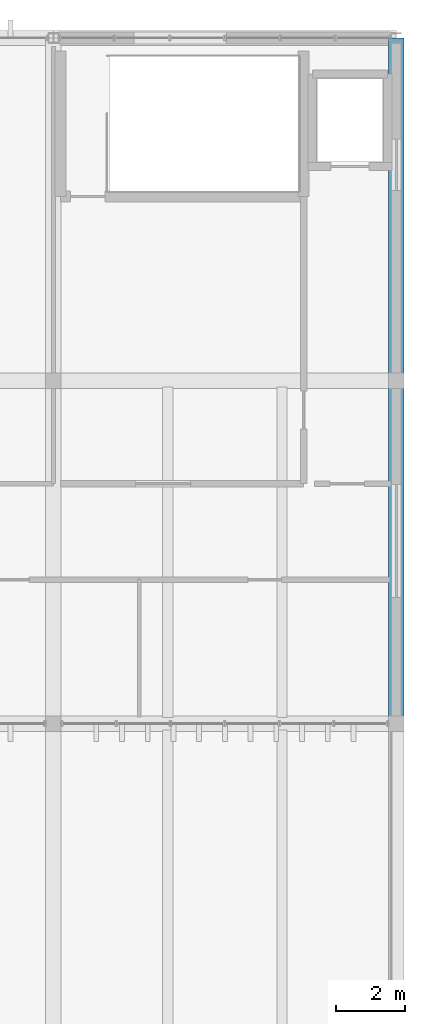
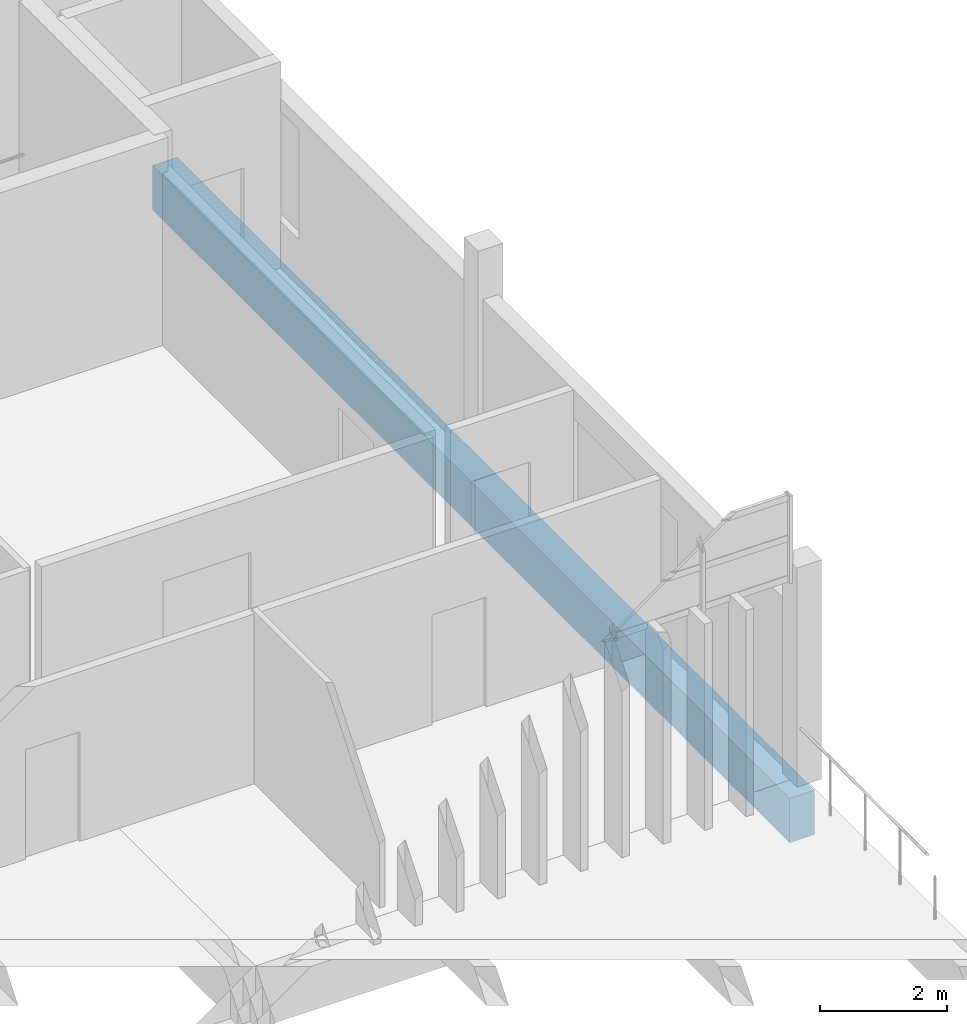
# One storey, part 29 of 36: 2 beams.
"""IFC4 building model written with IfcOpenShell, lengths in metres."""

import ifcopenshell
import ifcopenshell.guid

model = None  # the IFC model being written
_history = None  # IfcOwnerHistory: only IFC2X3 demands one
_inside = {}  # id of a spatial element -> (the spatial element, [elements in it])
_under = {}  # id of a project, library or spatial element -> (it, [spatial elements below it])
_declared = {}  # id of a project -> (the project, [libraries it declares])
_typed = {}  # id of a type object -> (the type object, [elements of that type])
_made_of = {}  # id of a material, layer set ... -> (it, [elements and type objects made of it])


def new_model(schema):
    """Start an empty IFC model of exactly this schema.

    Asked for "IFC4X3", IfcOpenShell would pick the latest addendum, in which some entities
    have other attributes; the version numbers below select the first issue.
    IFC2X3 requires an IfcOwnerHistory on every rooted entity: one is made here for all.
    """
    global model, _history
    if schema == "IFC4X3":
        model = ifcopenshell.file(schema_version=(4, 3, 0, 0))
    else:
        model = ifcopenshell.file(schema=schema)
    _inside.clear()
    _under.clear()
    _declared.clear()
    _typed.clear()
    _made_of.clear()
    _history = None
    if model.schema == "IFC2X3":
        org = make("IfcOrganization", Name="unknown")
        user = make(
            "IfcPersonAndOrganization",
            ThePerson=make("IfcPerson", FamilyName="unknown"),
            TheOrganization=org,
        )
        app = make(
            "IfcApplication",
            ApplicationDeveloper=org,
            Version="unknown",
            ApplicationFullName="unknown",
            ApplicationIdentifier="unknown",
        )
        _history = make(
            "IfcOwnerHistory",
            OwningUser=user,
            OwningApplication=app,
            ChangeAction="ADDED",
            CreationDate=0,
        )
    return model


def make(cls, **values):
    """One entity of the class cls with the attributes given. An attribute that is None is left unset."""
    return model.create_entity(
        cls, **{name: value for name, value in values.items() if value is not None}
    )


def rooted(cls, **values):
    """An entity with a GlobalId (a new one), such as an element, a storey or a relation."""
    return make(cls, GlobalId=ifcopenshell.guid.new(), OwnerHistory=_history, **values)


def si_unit(unit_type, name, prefix=None):
    """IfcSIUnit, for example si_unit("LENGTHUNIT", "METRE", prefix="MILLI")."""
    return make("IfcSIUnit", UnitType=unit_type, Prefix=prefix, Name=name)


def assignment(units):
    """IfcUnitAssignment: the units of a project."""
    return None if units is None else make("IfcUnitAssignment", Units=units)


def point(xyz):
    """IfcCartesianPoint."""
    return None if xyz is None else make("IfcCartesianPoint", Coordinates=xyz)


def direction(xyz):
    """IfcDirection."""
    return None if xyz is None else make("IfcDirection", DirectionRatios=xyz)


def frame(location, z_axis=None, x_axis=None):
    """IfcAxis2Placement3D, a coordinate frame: its origin and axes. An axis left out is left unset."""
    return make(
        "IfcAxis2Placement3D",
        Location=point(location),
        Axis=direction(z_axis),
        RefDirection=direction(x_axis),
    )


def frame_2d(location, x_axis=None):
    """IfcAxis2Placement2D, a coordinate frame in the plane: its origin and x axis."""
    return make(
        "IfcAxis2Placement2D", Location=point(location), RefDirection=direction(x_axis)
    )


def origin():
    """The frame at (0, 0, 0) with its axes left unset."""
    return frame((0.0, 0.0, 0.0))


def origin_2d():
    """The frame at (0, 0) in the plane with its x axis left unset."""
    return frame_2d((0.0, 0.0))


def place(relative_to, where):
    """IfcLocalPlacement: puts the frame where relative to a parent placement (None: the world)."""
    return make(
        "IfcLocalPlacement", PlacementRelTo=relative_to, RelativePlacement=where
    )


def context(
    kind, dimensions, precision=None, world=None, true_north=None, identifier=None
):
    """IfcGeometricRepresentationContext, for example the 3D "Model" context."""
    return make(
        "IfcGeometricRepresentationContext",
        ContextIdentifier=identifier,
        ContextType=kind,
        CoordinateSpaceDimension=dimensions,
        Precision=precision,
        WorldCoordinateSystem=world,
        TrueNorth=true_north,
    )


def subcontext(parent, identifier, kind, view, scale=None):
    """IfcGeometricRepresentationSubContext, for example "Body" below "Model"."""
    return make(
        "IfcGeometricRepresentationSubContext",
        ContextIdentifier=identifier,
        ContextType=kind,
        ParentContext=parent,
        TargetScale=scale,
        TargetView=view,
    )


def project(units=None, contexts=None):
    """IfcProject with its units and contexts."""
    return rooted(
        "IfcProject",
        Name="project",
        RepresentationContexts=contexts,
        UnitsInContext=assignment(units),
    )


def spatial(cls, under=None, at=None, **own):
    """A site, building, storey or space (cls), placed at a placement, below another one or the project."""
    s = rooted(cls, ObjectPlacement=at, **own)
    if under is not None:
        _under.setdefault(under.id(), (under, []))[1].append(s)
    return s


def profile(cls, at=None, kind="AREA", **sizes):
    """A parametric profile (cls). Its sizes go by their IFC names, for example OverallWidth=200.0."""
    return make(cls, ProfileType=kind, Position=at, **sizes)


def rectangle(**sizes):
    """IfcRectangleProfileDef."""
    return profile("IfcRectangleProfileDef", **sizes)


def extrude(swept, where, along, depth):
    """IfcExtrudedAreaSolid: the profile swept, set in the frame where, extruded along a direction by depth."""
    return make(
        "IfcExtrudedAreaSolid",
        SweptArea=swept,
        Position=where,
        ExtrudedDirection=direction(along),
        Depth=depth,
    )


def shape(context_of_items, identifier, shape_type, items):
    """IfcShapeRepresentation: the items that make up one representation, for example the "Body"."""
    return make(
        "IfcShapeRepresentation",
        ContextOfItems=context_of_items,
        RepresentationIdentifier=identifier,
        RepresentationType=shape_type,
        Items=items,
    )


def material(Name=None, Category=None):
    """IfcMaterial."""
    return make("IfcMaterial", Name=Name, Category=Category)


def material_profile(
    of_material, cross_section, Name=None, Category=None, Priority=None
):
    """IfcMaterialProfile: a cross section and its material."""
    return make(
        "IfcMaterialProfile",
        Name=Name,
        Material=of_material,
        Profile=cross_section,
        Priority=Priority,
        Category=Category,
    )


def profile_set(profiles, Name=None, composite=None):
    """IfcMaterialProfileSet."""
    return make(
        "IfcMaterialProfileSet",
        Name=Name,
        MaterialProfiles=profiles,
        CompositeProfile=composite,
    )


def made_of(thing, what):
    """Note that an element or type object is made of a material, layer set ...; save() writes the relation."""
    if what is not None:
        _made_of.setdefault(what.id(), (what, []))[1].append(thing)
    return thing


def type_object(cls, material=None, **own):
    """A type object (cls), such as IfcWallType, which elements share."""
    return made_of(rooted(cls, **own), material)


def element(
    cls,
    number,
    at=None,
    inside=None,
    cuts=None,
    type_object=None,
    material=None,
    context=None,
    identifier="Body",
    shape_type=None,
    held_by="IfcProductDefinitionShape",
    body=None,
    shapes=None,
    **own,
):
    """One element of the class cls, such as IfcWall. Its Tag is "e" and its number.

    at: its placement. inside: the storey or other place that contains it. cuts: it is an
    opening in that element (IfcRelVoidsElement). A single representation is given by context,
    identifier, shape_type and body (its items); several are given by shapes. held_by: the class
    of the entity that holds the representations. save() writes the other relations.
    """
    e = rooted(cls, Tag="e%d" % number, ObjectPlacement=at, **own)
    if body is not None:
        shapes = [shape(context, identifier, shape_type, body)]
    if shapes is not None:
        e.Representation = make(held_by, Representations=shapes)
    if inside is not None:
        _inside.setdefault(inside.id(), (inside, []))[1].append(e)
    if cuts is not None:
        rooted(
            "IfcRelVoidsElement", RelatingBuildingElement=cuts, RelatedOpeningElement=e
        )
    if type_object is not None:
        _typed.setdefault(type_object.id(), (type_object, []))[1].append(e)
    return made_of(e, material)


def aggregate(whole, parts):
    """IfcRelAggregates: a whole, such as a stair, and the parts it consists of."""
    return rooted("IfcRelAggregates", RelatingObject=whole, RelatedObjects=parts)


def save(model, path):
    """Write the relations noted so far, then the file.

    IfcRelAggregates (storeys below a building ...), IfcRelContainedInSpatialStructure (elements
    in a storey), IfcRelDefinesByType, IfcRelAssociatesMaterial and IfcRelDeclares: one each for
    every whole, place, type object, material and project.
    """
    for whole, parts in _under.values():
        aggregate(whole, parts)
    for where, things in _inside.values():
        rooted(
            "IfcRelContainedInSpatialStructure",
            RelatedElements=things,
            RelatingStructure=where,
        )
    for kind, things in _typed.values():
        rooted("IfcRelDefinesByType", RelatedObjects=things, RelatingType=kind)
    for what, things in _made_of.values():
        rooted("IfcRelAssociatesMaterial", RelatedObjects=things, RelatingMaterial=what)
    for by, libraries in _declared.values():
        rooted("IfcRelDeclares", RelatingContext=by, RelatedDefinitions=libraries)
    model.write(path)


model = new_model("IFC4")

# Units and contexts
model_context = context("Model", 3, precision=1e-05, world=origin(), true_north=direction((0.0, 1.0)))
body_context = subcontext(model_context, "Body", "Model", "MODEL_VIEW")
ifc_project = project(units=[si_unit("LENGTHUNIT", "METRE"), si_unit("AREAUNIT", "SQUARE_METRE"), si_unit("VOLUMEUNIT", "CUBIC_METRE"), si_unit("PLANEANGLEUNIT", "RADIAN"), si_unit("MASSUNIT", "GRAM", prefix="KILO")], contexts=[model_context])

# Site, building, storey
site_placement = place(None, origin())
site = spatial("IfcSite", under=ifc_project, at=site_placement, CompositionType="ELEMENT")
building_placement = place(site_placement, origin())
building = spatial("IfcBuilding", under=site, at=building_placement, Name="Mersad Railyard Sports Hall", CompositionType="ELEMENT")
storey_placement = place(building_placement, frame((0.0, 0.0, 21.60009765625)))
storey = spatial("IfcBuildingStorey", under=building, at=storey_placement, Name="L05", CompositionType="ELEMENT", Elevation=21.60009765625)

# Beams
ifc_material = material(Name="Concrete C40/50", Category="concrete")
ifc_material_profile = material_profile(ifc_material, rectangle(XDim=0.449951171875, YDim=0.85009765625, at=origin_2d()), Name="RC 450x850")
ifc_profile_set = profile_set([ifc_material_profile], Name="Concrete C40/50")
beam_type = type_object("IfcBeamType", Name="STR-BM-B02", PredefinedType="BEAM", material=ifc_profile_set)
for number, where, z_axis, x_axis, name in (
    (1, (121.0, 95.0, -0.775146484375), (0.0, 1.0, 0.0), (-1.0, 0.0, 0.0), "Beam B02-1446"),
    (2, (121.0, 105.0, -0.775146484375), (0.0, 1.0, 0.0), (-1.0, 0.0, 0.0), "Beam B02-1447"),
):
    element("IfcBeam", number, at=place(storey_placement, frame(where, z_axis=z_axis, x_axis=x_axis)), inside=storey, type_object=beam_type, Name=name, PredefinedType="BEAM", context=body_context, shape_type="SweptSolid", body=[
        extrude(rectangle(XDim=0.449951171875, YDim=0.85009765625, at=origin_2d()), origin(), (0.0, 0.0, 1.0), 10.0),
    ])

save(model, "model.ifc")
